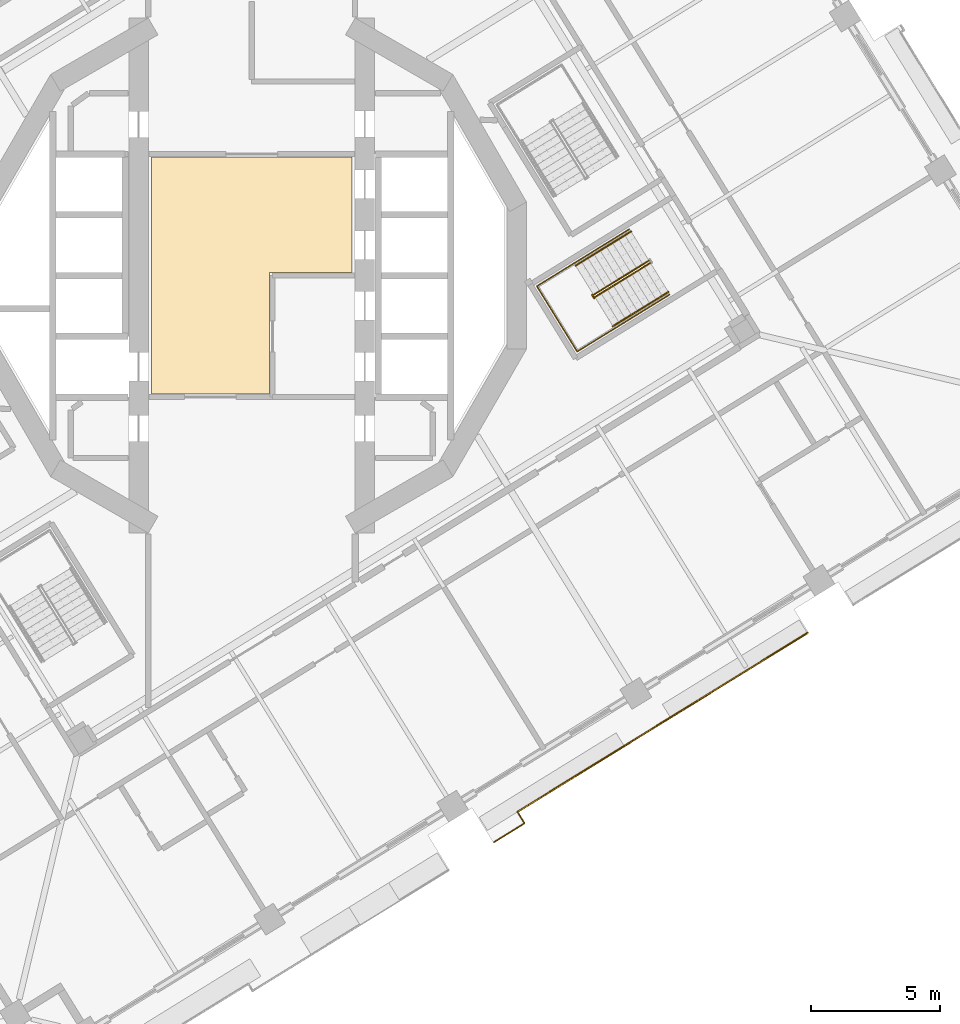
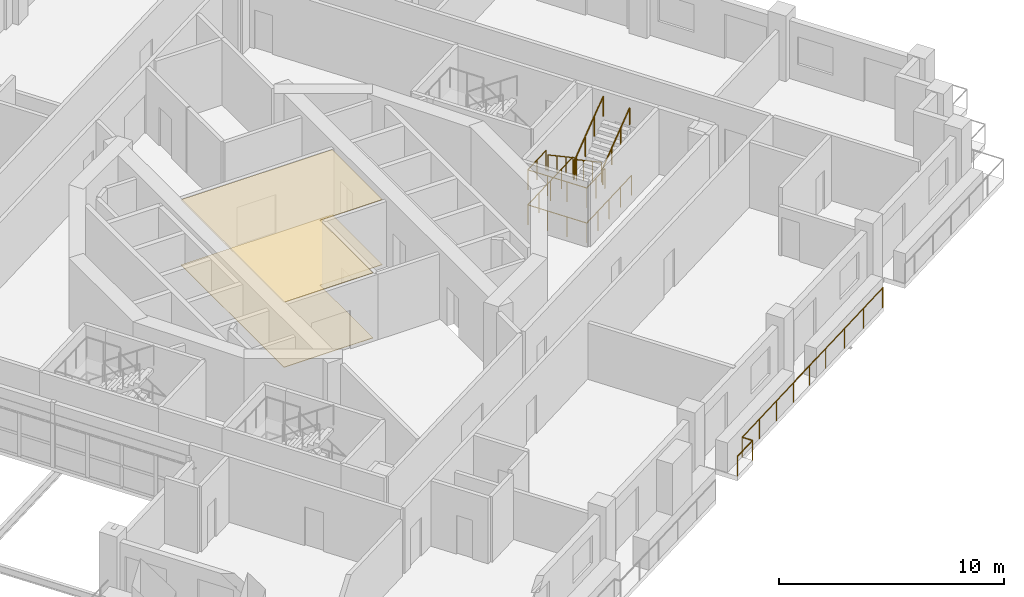
# One storey, part 15 of 20: 8 railings, 2 coverings.
"""IFC4 building model written with IfcOpenShell, lengths in metres."""

from ifc_helpers import new_model, si_unit, direction, frame, origin, origin_2d, place, context, subcontext, project, spatial, polyline, circle, outline, extrude, material, layer, layer_set, type_object, element, save


model = new_model("IFC4")

# Units and contexts
model_context = context("Model", 3, precision=1e-05, world=origin(), true_north=direction((0.0, 1.0)))
body_context = subcontext(model_context, "Body", "Model", "MODEL_VIEW")
ifc_project = project(units=[si_unit("LENGTHUNIT", "METRE"), si_unit("AREAUNIT", "SQUARE_METRE"), si_unit("VOLUMEUNIT", "CUBIC_METRE"), si_unit("PLANEANGLEUNIT", "RADIAN"), si_unit("MASSUNIT", "GRAM", prefix="KILO")], contexts=[model_context])

# Site, building, storey
site_placement = place(None, origin())
site = spatial("IfcSite", under=ifc_project, at=site_placement, CompositionType="ELEMENT")
building_placement = place(site_placement, origin())
building = spatial("IfcBuilding", under=site, at=building_placement, Name="Cantera Rosa Tower", CompositionType="ELEMENT")
storey_placement = place(building_placement, frame((0.0, 0.0, 151.39990234375)))
storey = spatial("IfcBuildingStorey", under=building, at=storey_placement, Name="L32", CompositionType="ELEMENT", Elevation=151.39990234375)

# Railings
ifc_material_1 = material(Name="Stainless steel and laminated glass", Category="steel")
railing_type_1 = type_object("IfcRailingType", Name="GUARD 1100", PredefinedType="BALUSTRADE", material=ifc_material_1)
railing_1_placement = place(storey_placement, frame((10.279541015625, -20.741455078125, 0.0)))
element("IfcRailing", 1, at=railing_1_placement, inside=storey, type_object=railing_type_1, Name="GUARD L32-7", PredefinedType="BALUSTRADE", context=body_context, shape_type="SweptSolid", body=[
    extrude(circle(Radius=0.030029296875, at=origin_2d()), frame((0.0, 0.0, 1.070068359375), z_axis=(0.525013333851, -0.851094001435, 0.0), x_axis=(0.851094001435, 0.525013333851, 0.0)), (0.0, 0.0, 1.0), 0.520263671875),
    extrude(circle(Radius=0.030029296875, at=origin_2d()), frame((0.273193359375, -0.44287109375, 1.070068359375), z_axis=(-0.851091103489, -0.525018031655, 0.0), x_axis=(0.525018031655, -0.851091103489, 0.0)), (0.0, 0.0, 1.0), 1.390380859375),
    extrude(circle(Radius=0.02490234375, at=origin_2d()), origin(), (0.0, 0.0, 1.0), 1.0400390625),
    extrude(circle(Radius=0.02490234375, at=origin_2d()), frame((0.273193359375, -0.44287109375, 0.0)), (0.0, 0.0, 1.0), 1.0400390625),
    extrude(circle(Radius=0.02490234375, at=origin_2d()), frame((-0.91015625, -1.1728515625, 0.0)), (0.0, 0.0, 1.0), 1.0400390625),
])
railing_2_placement = place(storey_placement, frame((21.505615234375, -13.817138671875, 0.0)))
element("IfcRailing", 2, at=railing_2_placement, inside=storey, type_object=railing_type_1, Name="GUARD L32-8", PredefinedType="BALUSTRADE", context=body_context, shape_type="SweptSolid", body=[
    extrude(circle(Radius=0.030029296875, at=origin_2d()), frame((0.0, 0.0, 1.070068359375), z_axis=(-0.850339408664, -0.52623463405, 0.0), x_axis=(0.52623463405, -0.850339408664, 0.0)), (0.0, 0.0, 1.0), 0.070068359375),
    extrude(circle(Radius=0.030029296875, at=origin_2d()), frame((-0.0595703125, -0.036865234375, 1.070068359375), z_axis=(-0.851115851, -0.524977912085, 0.0), x_axis=(0.524977912085, -0.851115851, 0.0)), (0.0, 0.0, 1.0), 5.320068359375),
    extrude(circle(Radius=0.030029296875, at=origin_2d()), frame((-4.587646484375, -2.829833984375, 1.070068359375), z_axis=(-0.851138143202, -0.52494176933, 0.0), x_axis=(0.52494176933, -0.851138143202, 0.0)), (0.0, 0.0, 1.0), 2.999755859375),
    extrude(circle(Radius=0.030029296875, at=origin_2d()), frame((-7.140869140625, -4.404541015625, 1.070068359375), z_axis=(-0.851118219658, -0.524974071899, 0.0), x_axis=(0.524974071899, -0.851118219658, 0.0)), (0.0, 0.0, 1.0), 4.7998046875),
    extrude(circle(Radius=0.02490234375, at=origin_2d()), origin(), (0.0, 0.0, 1.0), 1.0400390625),
    extrude(circle(Radius=0.02490234375, at=origin_2d()), frame((-0.0595703125, -0.036865234375, 0.0)), (0.0, 0.0, 1.0), 1.0400390625),
    extrude(circle(Radius=0.02490234375, at=origin_2d()), frame((-1.56884765625, -0.9677734375, 0.0)), (0.0, 0.0, 1.0), 1.0400390625),
    extrude(circle(Radius=0.02490234375, at=origin_2d()), frame((-3.078369140625, -1.89892578125, 0.0)), (0.0, 0.0, 1.0), 1.0400390625),
    extrude(circle(Radius=0.02490234375, at=origin_2d()), frame((-4.587646484375, -2.829833984375, 0.0)), (0.0, 0.0, 1.0), 1.0400390625),
    extrude(circle(Radius=0.02490234375, at=origin_2d()), frame((-5.8642578125, -3.6171875, 0.0)), (0.0, 0.0, 1.0), 1.0400390625),
    extrude(circle(Radius=0.02490234375, at=origin_2d()), frame((-7.140869140625, -4.404541015625, 0.0)), (0.0, 0.0, 1.0), 1.0400390625),
    extrude(circle(Radius=0.02490234375, at=origin_2d()), frame((-8.502685546875, -5.244384765625, 0.0)), (0.0, 0.0, 1.0), 1.0400390625),
    extrude(circle(Radius=0.02490234375, at=origin_2d()), frame((-9.8642578125, -6.08447265625, 0.0)), (0.0, 0.0, 1.0), 1.0400390625),
    extrude(circle(Radius=0.02490234375, at=origin_2d()), frame((-11.22607421875, -6.92431640625, 0.0)), (0.0, 0.0, 1.0), 1.0400390625),
])
ifc_material_2 = material(Name="Steel S355J2 (EN 10025-2)", Category="steel")
railing_type_2 = type_object("IfcRailingType", Name="STAIR GUARD 1100", PredefinedType="GUARDRAIL", material=ifc_material_2)
railing_3_placement = place(storey_placement, frame((15.36572265625, 0.57666015625, 0.190185546875)))
element("IfcRailing", 3, at=railing_3_placement, inside=storey, type_object=railing_type_2, Name="L32 ST-34 stair guard 1", PredefinedType="GUARDRAIL", context=body_context, shape_type="SweptSolid", body=[
    extrude(circle(Radius=0.02392578125, at=origin_2d()), frame((0.0, 0.0, 1.076171875), z_axis=(-0.704271375033, -0.434427613125, 0.561493080334), x_axis=(0.524999832248, -0.851102330005, 0.0)), (0.0, 0.0, 1.0), 3.04541015625),
    extrude(circle(Radius=0.02392578125, at=origin_2d()), frame((-2.144775390625, -1.322998046875, 2.7861328125), z_axis=(-0.997279572494, -0.073711968402, 0.0), x_axis=(0.073711968402, -0.997279572494, 0.0)), (0.0, 0.0, 1.0), 0.056396484375),
    extrude(circle(Radius=0.02392578125, at=origin_2d()), frame((-2.200927734375, -1.3271484375, 2.7861328125), z_axis=(0.525458245725, -0.850819388589, 0.0), x_axis=(0.850819388589, 0.525458245725, 0.0)), (0.0, 0.0, 1.0), 0.150146484375),
    extrude(circle(Radius=0.02099609375, at=origin_2d()), origin(), (0.0, 0.0, 1.0), 1.052001953125),
    extrude(circle(Radius=0.02099609375, at=origin_2d()), frame((-0.71484375, -0.44091796875, 0.570068359375)), (0.0, 0.0, 1.0), 1.052001953125),
    extrude(circle(Radius=0.02099609375, at=origin_2d()), frame((-1.429931640625, -0.882080078125, 1.139892578125)), (0.0, 0.0, 1.0), 1.052001953125),
    extrude(circle(Radius=0.02099609375, at=origin_2d()), frame((-2.144775390625, -1.322998046875, 1.7099609375)), (0.0, 0.0, 1.0), 1.052001953125),
    extrude(circle(Radius=0.02099609375, at=origin_2d()), frame((-2.200927734375, -1.3271484375, 1.7099609375)), (0.0, 0.0, 1.0), 1.052001953125),
    extrude(circle(Radius=0.02099609375, at=origin_2d()), frame((-2.1220703125, -1.454833984375, 1.7099609375)), (0.0, 0.0, 1.0), 1.052001953125),
])
railing_4_placement = place(storey_placement, frame((13.2724609375, -0.82958984375, 2.090087890625)))
element("IfcRailing", 4, at=railing_4_placement, inside=storey, type_object=railing_type_2, Name="L32 ST-34 stair guard 2", PredefinedType="GUARDRAIL", context=body_context, shape_type="SweptSolid", body=[
    extrude(circle(Radius=0.02392578125, at=origin_2d()), frame((0.0, 0.0, 1.076171875), z_axis=(0.70429590169, 0.434362572038, 0.561512634654), x_axis=(-0.524929648476, 0.851145618652, 0.0)), (0.0, 0.0, 1.0), 3.045166015625),
    extrude(circle(Radius=0.02099609375, at=origin_2d()), origin(), (0.0, 0.0, 1.0), 1.052001953125),
    extrude(circle(Radius=0.02099609375, at=origin_2d()), frame((0.71484375, 0.44091796875, 0.570068359375)), (0.0, 0.0, 1.0), 1.052001953125),
    extrude(circle(Radius=0.02099609375, at=origin_2d()), frame((1.429931640625, 0.8818359375, 1.139892578125)), (0.0, 0.0, 1.0), 1.052001953125),
    extrude(circle(Radius=0.02099609375, at=origin_2d()), frame((2.144775390625, 1.32275390625, 1.7099609375)), (0.0, 0.0, 1.0), 1.052001953125),
])
railing_5_placement = place(storey_placement, frame((14.601806640625, 1.79248046875, 0.0)))
element("IfcRailing", 5, at=railing_5_placement, inside=storey, type_object=railing_type_2, Name="L32 ST-34 stair guard 4", PredefinedType="GUARDRAIL", context=body_context, shape_type="SweptSolid", body=[
    extrude(circle(Radius=0.02392578125, at=origin_2d()), frame((0.0, 0.0, 1.076171875), z_axis=(-0.851116735059, -0.524976478809, 0.0), x_axis=(0.524976478809, -0.851116735059, 0.0)), (0.0, 0.0, 1.0), 4.197998046875),
    extrude(circle(Radius=0.02392578125, at=origin_2d()), frame((-3.572998046875, -2.203857421875, 1.076171875), z_axis=(0.524950242429, -0.851132917336, 0.0), x_axis=(0.851132917336, 0.524950242429, 0.0)), (0.0, 0.0, 1.0), 2.969970703125),
    extrude(circle(Radius=0.02392578125, at=origin_2d()), frame((-2.013916015625, -4.731689453125, 1.076171875), z_axis=(0.851116735059, 0.524976478809, 0.0), x_axis=(-0.524976478809, 0.851116735059, 0.0)), (0.0, 0.0, 1.0), 4.197998046875),
    extrude(circle(Radius=0.02099609375, at=origin_2d()), origin(), (0.0, 0.0, 1.0), 1.052001953125),
    extrude(circle(Radius=0.02099609375, at=origin_2d()), frame((-0.893310546875, -0.551025390625, 0.0)), (0.0, 0.0, 1.0), 1.052001953125),
    extrude(circle(Radius=0.02099609375, at=origin_2d()), frame((-1.78662109375, -1.10205078125, 0.0)), (0.0, 0.0, 1.0), 1.052001953125),
    extrude(circle(Radius=0.02099609375, at=origin_2d()), frame((-2.6796875, -1.65283203125, 0.0)), (0.0, 0.0, 1.0), 1.052001953125),
    extrude(circle(Radius=0.02099609375, at=origin_2d()), frame((-3.572998046875, -2.203857421875, 0.0)), (0.0, 0.0, 1.0), 1.052001953125),
    extrude(circle(Radius=0.02099609375, at=origin_2d()), frame((-3.05322265625, -3.04638671875, 0.0)), (0.0, 0.0, 1.0), 1.052001953125),
    extrude(circle(Radius=0.02099609375, at=origin_2d()), frame((-2.53369140625, -3.88916015625, 0.0)), (0.0, 0.0, 1.0), 1.052001953125),
    extrude(circle(Radius=0.02099609375, at=origin_2d()), frame((-2.013916015625, -4.731689453125, 0.0)), (0.0, 0.0, 1.0), 1.052001953125),
    extrude(circle(Radius=0.02099609375, at=origin_2d()), frame((-1.12060546875, -4.1806640625, 0.0)), (0.0, 0.0, 1.0), 1.052001953125),
    extrude(circle(Radius=0.02099609375, at=origin_2d()), frame((-0.2275390625, -3.6298828125, 0.0)), (0.0, 0.0, 1.0), 1.052001953125),
    extrude(circle(Radius=0.02099609375, at=origin_2d()), frame((0.665771484375, -3.078857421875, 0.0)), (0.0, 0.0, 1.0), 1.052001953125),
    extrude(circle(Radius=0.02099609375, at=origin_2d()), frame((1.55908203125, -2.52783203125, 0.0)), (0.0, 0.0, 1.0), 1.052001953125),
])
railing_6_placement = place(storey_placement, frame((12.477294921875, 0.482177734375, 1.900146484375)))
element("IfcRailing", 6, at=railing_6_placement, inside=storey, type_object=railing_type_2, Name="L32 ST-34 stair guard 5", PredefinedType="GUARDRAIL", context=body_context, shape_type="SweptSolid", body=[
    extrude(circle(Radius=0.02392578125, at=origin_2d()), frame((0.0, 0.0, 1.076171875), z_axis=(-0.851086474909, -0.525025534833, 0.0), x_axis=(0.525025534833, -0.851086474909, 0.0)), (0.0, 0.0, 1.0), 1.701904296875),
    extrude(circle(Radius=0.02392578125, at=origin_2d()), frame((-1.448486328125, -0.8935546875, 1.076171875), z_axis=(0.524950242429, -0.851132917336, 0.0), x_axis=(0.851132917336, 0.524950242429, 0.0)), (0.0, 0.0, 1.0), 2.969970703125),
    extrude(circle(Radius=0.02392578125, at=origin_2d()), frame((0.110595703125, -3.42138671875, 1.076171875), z_axis=(0.851126009811, 0.524961441845, 0.0), x_axis=(-0.524961441845, 0.851126009811, 0.0)), (0.0, 0.0, 1.0), 1.7021484375),
    extrude(circle(Radius=0.02099609375, at=origin_2d()), origin(), (0.0, 0.0, 1.0), 1.052001953125),
    extrude(circle(Radius=0.02099609375, at=origin_2d()), frame((-0.72412109375, -0.44677734375, 0.0)), (0.0, 0.0, 1.0), 1.052001953125),
    extrude(circle(Radius=0.02099609375, at=origin_2d()), frame((-1.448486328125, -0.8935546875, 0.0)), (0.0, 0.0, 1.0), 1.052001953125),
    extrude(circle(Radius=0.02099609375, at=origin_2d()), frame((-0.9287109375, -1.736083984375, 0.0)), (0.0, 0.0, 1.0), 1.052001953125),
    extrude(circle(Radius=0.02099609375, at=origin_2d()), frame((-0.4091796875, -2.578857421875, 0.0)), (0.0, 0.0, 1.0), 1.052001953125),
    extrude(circle(Radius=0.02099609375, at=origin_2d()), frame((0.110595703125, -3.42138671875, 0.0)), (0.0, 0.0, 1.0), 1.052001953125),
    extrude(circle(Radius=0.02099609375, at=origin_2d()), frame((0.8349609375, -2.974609375, 0.0)), (0.0, 0.0, 1.0), 1.052001953125),
    extrude(circle(Radius=0.02099609375, at=origin_2d()), frame((1.559326171875, -2.52783203125, 0.0)), (0.0, 0.0, 1.0), 1.052001953125),
])
ifc_material_3 = material(Name="Steel S355J2 (EN 10025-2)", Category="steel")
railing_type_3 = type_object("IfcRailingType", Name="STAIR HANDRAIL 900", PredefinedType="HANDRAIL", material=ifc_material_3)
railing_7_placement = place(storey_placement, frame((14.669677734375, 1.705322265625, 0.190185546875)))
element("IfcRailing", 7, at=railing_7_placement, inside=storey, type_object=railing_type_3, Name="L32 ST-34 stair handrail 1", PredefinedType="HANDRAIL", context=body_context, shape_type="SweptSolid", body=[
    extrude(circle(Radius=0.02392578125, at=origin_2d()), frame((0.0, 0.0, 0.8759765625), z_axis=(-0.704271375033, -0.434427613125, 0.561493080334), x_axis=(0.524999832248, -0.851102330005, 0.0)), (0.0, 0.0, 1.0), 3.04541015625),
    extrude(circle(Radius=0.02099609375, at=origin_2d()), origin(), (0.0, 0.0, 1.0), 0.851806640625),
    extrude(circle(Radius=0.02099609375, at=origin_2d()), frame((-0.71484375, -0.44091796875, 0.570068359375)), (0.0, 0.0, 1.0), 0.851806640625),
    extrude(circle(Radius=0.02099609375, at=origin_2d()), frame((-1.429931640625, -0.882080078125, 1.139892578125)), (0.0, 0.0, 1.0), 0.851806640625),
    extrude(circle(Radius=0.02099609375, at=origin_2d()), frame((-2.144775390625, -1.322998046875, 1.7099609375)), (0.0, 0.0, 1.0), 0.851806640625),
])
railing_8_placement = place(storey_placement, frame((13.968505859375, -1.958251953125, 2.090087890625)))
element("IfcRailing", 8, at=railing_8_placement, inside=storey, type_object=railing_type_3, Name="L32 ST-34 stair handrail 2", PredefinedType="HANDRAIL", context=body_context, shape_type="SweptSolid", body=[
    extrude(circle(Radius=0.02392578125, at=origin_2d()), frame((0.0, 0.0, 0.8759765625), z_axis=(0.704311776172, 0.434403086168, 0.561461379502), x_axis=(-0.524956545799, 0.851129029597, 0.0)), (0.0, 0.0, 1.0), 3.045654296875),
    extrude(circle(Radius=0.02099609375, at=origin_2d()), origin(), (0.0, 0.0, 1.0), 0.851806640625),
    extrude(circle(Radius=0.02099609375, at=origin_2d()), frame((0.715087890625, 0.44091796875, 0.570068359375)), (0.0, 0.0, 1.0), 0.851806640625),
    extrude(circle(Radius=0.02099609375, at=origin_2d()), frame((1.429931640625, 0.882080078125, 1.139892578125)), (0.0, 0.0, 1.0), 0.851806640625),
    extrude(circle(Radius=0.02099609375, at=origin_2d()), frame((2.14501953125, 1.322998046875, 1.7099609375)), (0.0, 0.0, 1.0), 0.851806640625),
])

# Coverings
ifc_material_4 = material(Name="Limestone paving", Category="masonry")
ifc_layer_1 = layer(ifc_material_4, 0.02490234375)
ifc_layer_set_1 = layer_set([ifc_layer_1], Name="STONE FLOOR FINISH 25")
covering_type_1 = type_object("IfcCoveringType", Name="STONE FLOOR FINISH 25", PredefinedType="FLOORING", material=ifc_layer_set_1)
covering_1_placement = place(storey_placement, origin())
element("IfcCovering", 9, at=covering_1_placement, inside=storey, type_object=covering_type_1, Name="STONE FLOOR FINISH L32", PredefinedType="FLOORING", context=body_context, shape_type="SweptSolid", body=[
    extrude(outline(polyline([(3.8798828125, 4.580078125), (3.8798828125, 0.1201171875), (0.679931640625, 0.1201171875), (0.679931640625, -4.580078125), (-3.8798828125, -4.580078125), (-3.8798828125, 4.580078125), (3.8798828125, 4.580078125)])), origin(), (0.0, 0.0, 1.0), 0.025146484375),
])
ifc_material_5 = material(Name="Gypsum ceiling tile")
ifc_layer_2 = layer(ifc_material_5, 0.030029296875)
ifc_layer_set_2 = layer_set([ifc_layer_2], Name="SUSPENDED CEILING 30")
covering_type_2 = type_object("IfcCoveringType", Name="SUSPENDED CEILING 30", PredefinedType="CEILING", material=ifc_layer_set_2)
covering_2_placement = place(storey_placement, frame((0.0, 0.0, 3.52001953125)))
element("IfcCovering", 10, at=covering_2_placement, inside=storey, type_object=covering_type_2, Name="SUSPENDED CEILING L32", PredefinedType="CEILING", context=body_context, shape_type="SweptSolid", body=[
    extrude(outline(polyline([(3.8798828125, 4.580078125), (3.8798828125, 0.1201171875), (0.679931640625, 0.1201171875), (0.679931640625, -4.580078125), (-3.8798828125, -4.580078125), (-3.8798828125, 4.580078125), (3.8798828125, 4.580078125)])), origin(), (0.0, 0.0, 1.0), 0.030029296875),
])

save(model, "model.ifc")
